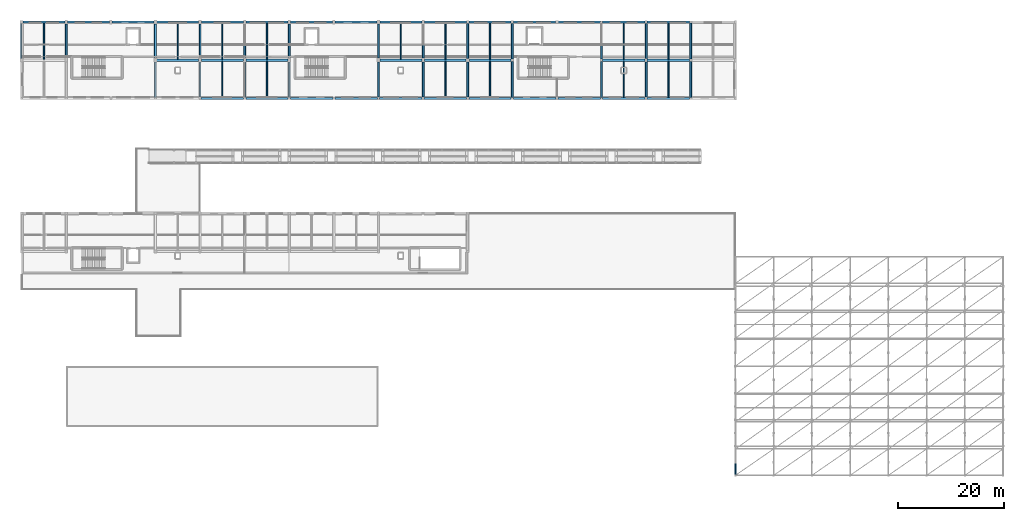
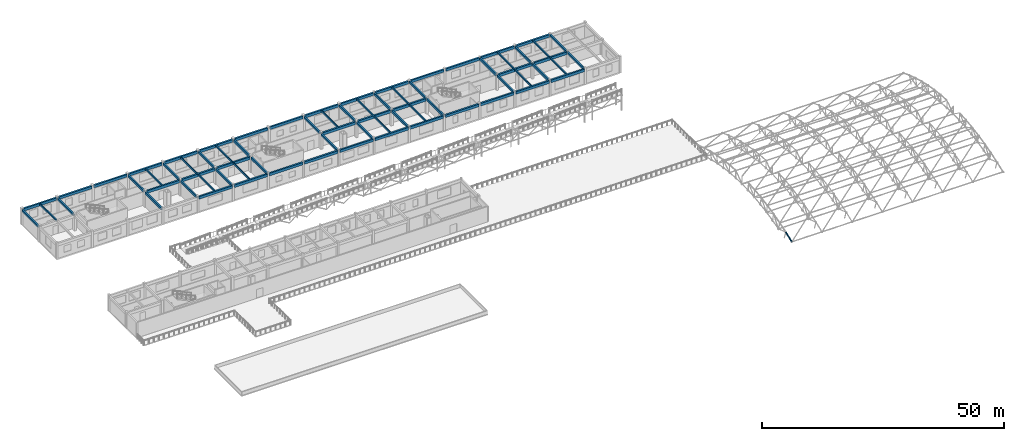
# One storey, part 11 of 41: 73 beams, 1 member.
"""IFC4 building model written with IfcOpenShell, lengths in metres."""

import ifcopenshell
import ifcopenshell.guid

model = None  # the IFC model being written
_history = None  # IfcOwnerHistory: only IFC2X3 demands one
_inside = {}  # id of a spatial element -> (the spatial element, [elements in it])
_under = {}  # id of a project, library or spatial element -> (it, [spatial elements below it])
_declared = {}  # id of a project -> (the project, [libraries it declares])
_typed = {}  # id of a type object -> (the type object, [elements of that type])
_made_of = {}  # id of a material, layer set ... -> (it, [elements and type objects made of it])


def new_model(schema):
    """Start an empty IFC model of exactly this schema.

    Asked for "IFC4X3", IfcOpenShell would pick the latest addendum, in which some entities
    have other attributes; the version numbers below select the first issue.
    IFC2X3 requires an IfcOwnerHistory on every rooted entity: one is made here for all.
    """
    global model, _history
    if schema == "IFC4X3":
        model = ifcopenshell.file(schema_version=(4, 3, 0, 0))
    else:
        model = ifcopenshell.file(schema=schema)
    _inside.clear()
    _under.clear()
    _declared.clear()
    _typed.clear()
    _made_of.clear()
    _history = None
    if model.schema == "IFC2X3":
        org = make("IfcOrganization", Name="unknown")
        user = make(
            "IfcPersonAndOrganization",
            ThePerson=make("IfcPerson", FamilyName="unknown"),
            TheOrganization=org,
        )
        app = make(
            "IfcApplication",
            ApplicationDeveloper=org,
            Version="unknown",
            ApplicationFullName="unknown",
            ApplicationIdentifier="unknown",
        )
        _history = make(
            "IfcOwnerHistory",
            OwningUser=user,
            OwningApplication=app,
            ChangeAction="ADDED",
            CreationDate=0,
        )
    return model


def make(cls, **values):
    """One entity of the class cls with the attributes given. An attribute that is None is left unset."""
    return model.create_entity(
        cls, **{name: value for name, value in values.items() if value is not None}
    )


def rooted(cls, **values):
    """An entity with a GlobalId (a new one), such as an element, a storey or a relation."""
    return make(cls, GlobalId=ifcopenshell.guid.new(), OwnerHistory=_history, **values)


def si_unit(unit_type, name, prefix=None):
    """IfcSIUnit, for example si_unit("LENGTHUNIT", "METRE", prefix="MILLI")."""
    return make("IfcSIUnit", UnitType=unit_type, Prefix=prefix, Name=name)


def assignment(units):
    """IfcUnitAssignment: the units of a project."""
    return None if units is None else make("IfcUnitAssignment", Units=units)


def point(xyz):
    """IfcCartesianPoint."""
    return None if xyz is None else make("IfcCartesianPoint", Coordinates=xyz)


def direction(xyz):
    """IfcDirection."""
    return None if xyz is None else make("IfcDirection", DirectionRatios=xyz)


def frame(location, z_axis=None, x_axis=None):
    """IfcAxis2Placement3D, a coordinate frame: its origin and axes. An axis left out is left unset."""
    return make(
        "IfcAxis2Placement3D",
        Location=point(location),
        Axis=direction(z_axis),
        RefDirection=direction(x_axis),
    )


def frame_2d(location, x_axis=None):
    """IfcAxis2Placement2D, a coordinate frame in the plane: its origin and x axis."""
    return make(
        "IfcAxis2Placement2D", Location=point(location), RefDirection=direction(x_axis)
    )


def origin():
    """The frame at (0, 0, 0) with its axes left unset."""
    return frame((0.0, 0.0, 0.0))


def origin_2d():
    """The frame at (0, 0) in the plane with its x axis left unset."""
    return frame_2d((0.0, 0.0))


def place(relative_to, where):
    """IfcLocalPlacement: puts the frame where relative to a parent placement (None: the world)."""
    return make(
        "IfcLocalPlacement", PlacementRelTo=relative_to, RelativePlacement=where
    )


def context(
    kind, dimensions, precision=None, world=None, true_north=None, identifier=None
):
    """IfcGeometricRepresentationContext, for example the 3D "Model" context."""
    return make(
        "IfcGeometricRepresentationContext",
        ContextIdentifier=identifier,
        ContextType=kind,
        CoordinateSpaceDimension=dimensions,
        Precision=precision,
        WorldCoordinateSystem=world,
        TrueNorth=true_north,
    )


def subcontext(parent, identifier, kind, view, scale=None):
    """IfcGeometricRepresentationSubContext, for example "Body" below "Model"."""
    return make(
        "IfcGeometricRepresentationSubContext",
        ContextIdentifier=identifier,
        ContextType=kind,
        ParentContext=parent,
        TargetScale=scale,
        TargetView=view,
    )


def project(units=None, contexts=None):
    """IfcProject with its units and contexts."""
    return rooted(
        "IfcProject",
        Name="project",
        RepresentationContexts=contexts,
        UnitsInContext=assignment(units),
    )


def spatial(cls, under=None, at=None, **own):
    """A site, building, storey or space (cls), placed at a placement, below another one or the project."""
    s = rooted(cls, ObjectPlacement=at, **own)
    if under is not None:
        _under.setdefault(under.id(), (under, []))[1].append(s)
    return s


def profile(cls, at=None, kind="AREA", **sizes):
    """A parametric profile (cls). Its sizes go by their IFC names, for example OverallWidth=200.0."""
    return make(cls, ProfileType=kind, Position=at, **sizes)


def rectangle(**sizes):
    """IfcRectangleProfileDef."""
    return profile("IfcRectangleProfileDef", **sizes)


def hollow_circle(**sizes):
    """IfcCircleHollowProfileDef."""
    return profile("IfcCircleHollowProfileDef", **sizes)


def extrude(swept, where, along, depth):
    """IfcExtrudedAreaSolid: the profile swept, set in the frame where, extruded along a direction by depth."""
    return make(
        "IfcExtrudedAreaSolid",
        SweptArea=swept,
        Position=where,
        ExtrudedDirection=direction(along),
        Depth=depth,
    )


def shape(context_of_items, identifier, shape_type, items):
    """IfcShapeRepresentation: the items that make up one representation, for example the "Body"."""
    return make(
        "IfcShapeRepresentation",
        ContextOfItems=context_of_items,
        RepresentationIdentifier=identifier,
        RepresentationType=shape_type,
        Items=items,
    )


def material(Name=None, Category=None):
    """IfcMaterial."""
    return make("IfcMaterial", Name=Name, Category=Category)


def material_profile(
    of_material, cross_section, Name=None, Category=None, Priority=None
):
    """IfcMaterialProfile: a cross section and its material."""
    return make(
        "IfcMaterialProfile",
        Name=Name,
        Material=of_material,
        Profile=cross_section,
        Priority=Priority,
        Category=Category,
    )


def profile_set(profiles, Name=None, composite=None):
    """IfcMaterialProfileSet."""
    return make(
        "IfcMaterialProfileSet",
        Name=Name,
        MaterialProfiles=profiles,
        CompositeProfile=composite,
    )


def made_of(thing, what):
    """Note that an element or type object is made of a material, layer set ...; save() writes the relation."""
    if what is not None:
        _made_of.setdefault(what.id(), (what, []))[1].append(thing)
    return thing


def type_object(cls, material=None, **own):
    """A type object (cls), such as IfcWallType, which elements share."""
    return made_of(rooted(cls, **own), material)


def element(
    cls,
    number,
    at=None,
    inside=None,
    cuts=None,
    type_object=None,
    material=None,
    context=None,
    identifier="Body",
    shape_type=None,
    held_by="IfcProductDefinitionShape",
    body=None,
    shapes=None,
    **own,
):
    """One element of the class cls, such as IfcWall. Its Tag is "e" and its number.

    at: its placement. inside: the storey or other place that contains it. cuts: it is an
    opening in that element (IfcRelVoidsElement). A single representation is given by context,
    identifier, shape_type and body (its items); several are given by shapes. held_by: the class
    of the entity that holds the representations. save() writes the other relations.
    """
    e = rooted(cls, Tag="e%d" % number, ObjectPlacement=at, **own)
    if body is not None:
        shapes = [shape(context, identifier, shape_type, body)]
    if shapes is not None:
        e.Representation = make(held_by, Representations=shapes)
    if inside is not None:
        _inside.setdefault(inside.id(), (inside, []))[1].append(e)
    if cuts is not None:
        rooted(
            "IfcRelVoidsElement", RelatingBuildingElement=cuts, RelatedOpeningElement=e
        )
    if type_object is not None:
        _typed.setdefault(type_object.id(), (type_object, []))[1].append(e)
    return made_of(e, material)


def aggregate(whole, parts):
    """IfcRelAggregates: a whole, such as a stair, and the parts it consists of."""
    return rooted("IfcRelAggregates", RelatingObject=whole, RelatedObjects=parts)


def save(model, path):
    """Write the relations noted so far, then the file.

    IfcRelAggregates (storeys below a building ...), IfcRelContainedInSpatialStructure (elements
    in a storey), IfcRelDefinesByType, IfcRelAssociatesMaterial and IfcRelDeclares: one each for
    every whole, place, type object, material and project.
    """
    for whole, parts in _under.values():
        aggregate(whole, parts)
    for where, things in _inside.values():
        rooted(
            "IfcRelContainedInSpatialStructure",
            RelatedElements=things,
            RelatingStructure=where,
        )
    for kind, things in _typed.values():
        rooted("IfcRelDefinesByType", RelatedObjects=things, RelatingType=kind)
    for what, things in _made_of.values():
        rooted("IfcRelAssociatesMaterial", RelatedObjects=things, RelatingMaterial=what)
    for by, libraries in _declared.values():
        rooted("IfcRelDeclares", RelatingContext=by, RelatedDefinitions=libraries)
    model.write(path)


model = new_model("IFC4")

# Units and contexts
model_context = context("Model", 3, precision=1e-05, world=origin(), true_north=direction((0.0, 1.0)))
body_context = subcontext(model_context, "Body", "Model", "MODEL_VIEW")
ifc_project = project(units=[si_unit("LENGTHUNIT", "METRE"), si_unit("AREAUNIT", "SQUARE_METRE"), si_unit("VOLUMEUNIT", "CUBIC_METRE"), si_unit("PLANEANGLEUNIT", "RADIAN"), si_unit("MASSUNIT", "GRAM", prefix="KILO")], contexts=[model_context])

# Site, building, storey
site_placement = place(None, origin())
site = spatial("IfcSite", under=ifc_project, at=site_placement, CompositionType="ELEMENT")
building_placement = place(site_placement, origin())
building = spatial("IfcBuilding", under=site, at=building_placement, Name="Malvenik Polytechnic", CompositionType="ELEMENT")
storey_placement = place(building_placement, frame((0.0, 0.0, 17.699951171875)))
storey = spatial("IfcBuildingStorey", under=building, at=storey_placement, Name="L04", CompositionType="ELEMENT", Elevation=17.699951171875)

# Beams
ifc_material_1 = material(Name="Concrete C35/45", Category="concrete")
ifc_material_profile_1 = material_profile(ifc_material_1, rectangle(XDim=0.39990234375, YDim=0.679931640625, at=origin_2d()), Name="RC BM 400x680")
ifc_profile_set_1 = profile_set([ifc_material_profile_1], Name="Concrete C35/45")
beam_type_1 = type_object("IfcBeamType", Name="STR-BM-B-05", PredefinedType="BEAM", material=ifc_profile_set_1)
for number, where, z_axis, x_axis, name in (
    (1, (25.447998046875, 122.39990234375, 3.580078125), (1.0, 0.0, 0.0), (0.0, 1.0, 0.0), "Primary Beam B-05 L04 #1860"),
    (2, (33.847900390625, 122.39990234375, 3.580078125), (1.0, 0.0, 0.0), (0.0, 1.0, 0.0), "Primary Beam B-05 L04 #1861"),
    (3, (42.248046875, 122.39990234375, 3.580078125), (1.0, 0.0, 0.0), (0.0, 1.0, 0.0), "Primary Beam B-05 L04 #1862"),
    (4, (67.447998046875, 122.39990234375, 3.580078125), (1.0, 0.0, 0.0), (0.0, 1.0, 0.0), "Primary Beam B-05 L04 #1863"),
):
    element("IfcBeam", number, at=place(storey_placement, frame(where, z_axis=z_axis, x_axis=x_axis)), inside=storey, type_object=beam_type_1, Name=name, PredefinedType="BEAM", context=body_context, shape_type="SweptSolid", body=[
        extrude(rectangle(XDim=0.39990234375, YDim=0.679931640625, at=origin_2d()), origin(), (0.0, 0.0, 1.0), 7.904052734375),
    ])
for number, where, z_axis, x_axis, name in (
    (5, (75.847900390625, 122.39990234375, 3.580078125), (1.0, 0.0, 0.0), (0.0, 1.0, 0.0), "Primary Beam B-05 L04 #1864"),
    (6, (84.298095703125, 122.39990234375, 3.580078125), (1.0, 0.0, 0.0), (0.0, 1.0, 0.0), "Primary Beam B-05 L04 #1865"),
):
    element("IfcBeam", number, at=place(storey_placement, frame(where, z_axis=z_axis, x_axis=x_axis)), inside=storey, type_object=beam_type_1, Name=name, PredefinedType="BEAM", context=body_context, shape_type="SweptSolid", body=[
        extrude(rectangle(XDim=0.39990234375, YDim=0.679931640625, at=origin_2d()), origin(), (0.0, 0.0, 1.0), 7.85400390625),
    ])
beam_1_placement = place(storey_placement, frame((109.39794921875, 122.39990234375, 3.580078125), z_axis=(1.0, 0.0, 0.0), x_axis=(0.0, 1.0, 0.0)))
element("IfcBeam", 7, at=beam_1_placement, inside=storey, type_object=beam_type_1, Name="Primary Beam B-05 L04 #1866", PredefinedType="BEAM", context=body_context, shape_type="SweptSolid", body=[
    extrude(rectangle(XDim=0.39990234375, YDim=0.679931640625, at=origin_2d()), origin(), (0.0, 0.0, 1.0), 8.004150390625),
])
beam_2_placement = place(storey_placement, frame((117.798095703125, 122.39990234375, 3.580078125), z_axis=(1.0, 0.0, 0.0), x_axis=(0.0, 1.0, 0.0)))
element("IfcBeam", 8, at=beam_2_placement, inside=storey, type_object=beam_type_1, Name="Primary Beam B-05 L04 #1867", PredefinedType="BEAM", context=body_context, shape_type="SweptSolid", body=[
    extrude(rectangle(XDim=0.39990234375, YDim=0.679931640625, at=origin_2d()), origin(), (0.0, 0.0, 1.0), 7.97900390625),
])
ifc_material_profile_2 = material_profile(ifc_material_1, rectangle(XDim=0.35009765625, YDim=0.550048828125, at=origin_2d()), Name="RC BM 350x550")
ifc_profile_set_2 = profile_set([ifc_material_profile_2], Name="Concrete C35/45")
beam_type_2 = type_object("IfcBeamType", Name="STR-BM-B-08", PredefinedType="BEAM", material=ifc_profile_set_2)
beam_3_placement = place(storey_placement, frame((0.0, 122.697998046875, 3.64501953125), z_axis=(0.0, 1.0, 0.0), x_axis=(-1.0, 0.0, 0.0)))
element("IfcBeam", 9, at=beam_3_placement, inside=storey, type_object=beam_type_2, Name="Transverse Beam B-08 L04 #1887", PredefinedType="BEAM", context=body_context, shape_type="SweptSolid", body=[
    extrude(rectangle(XDim=0.35009765625, YDim=0.550048828125, at=origin_2d()), origin(), (0.0, 0.0, 1.0), 6.60400390625),
])
beam_4_placement = place(storey_placement, frame((8.39990234375, 122.77294921875, 3.64501953125), z_axis=(0.0, 1.0, 0.0), x_axis=(-1.0, 0.0, 0.0)))
element("IfcBeam", 10, at=beam_4_placement, inside=storey, type_object=beam_type_2, Name="Transverse Beam B-08 L04 #1890", PredefinedType="BEAM", context=body_context, shape_type="SweptSolid", body=[
    extrude(rectangle(XDim=0.35009765625, YDim=0.550048828125, at=origin_2d()), origin(), (0.0, 0.0, 1.0), 6.4541015625),
])
beam_5_placement = place(storey_placement, frame((25.199951171875, 115.39794921875, 3.64501953125), z_axis=(0.0, 1.0, 0.0), x_axis=(-1.0, 0.0, 0.0)))
element("IfcBeam", 11, at=beam_5_placement, inside=storey, type_object=beam_type_2, Name="Transverse Beam B-08 L04 #1892", PredefinedType="BEAM", context=body_context, shape_type="SweptSolid", body=[
    extrude(rectangle(XDim=0.35009765625, YDim=0.550048828125, at=origin_2d()), origin(), (0.0, 0.0, 1.0), 6.629150390625),
])
beam_6_placement = place(storey_placement, frame((25.199951171875, 122.77294921875, 3.64501953125), z_axis=(0.0, 1.0, 0.0), x_axis=(-1.0, 0.0, 0.0)))
element("IfcBeam", 12, at=beam_6_placement, inside=storey, type_object=beam_type_2, Name="Transverse Beam B-08 L04 #1893", PredefinedType="BEAM", context=body_context, shape_type="SweptSolid", body=[
    extrude(rectangle(XDim=0.35009765625, YDim=0.550048828125, at=origin_2d()), origin(), (0.0, 0.0, 1.0), 6.4541015625),
])
beam_7_placement = place(storey_placement, frame((33.60009765625, 115.498046875, 3.64501953125), z_axis=(0.0, 1.0, 0.0), x_axis=(-1.0, 0.0, 0.0)))
element("IfcBeam", 13, at=beam_7_placement, inside=storey, type_object=beam_type_2, Name="Transverse Beam B-08 L04 #1895", PredefinedType="BEAM", context=body_context, shape_type="SweptSolid", body=[
    extrude(rectangle(XDim=0.35009765625, YDim=0.550048828125, at=origin_2d()), origin(), (0.0, 0.0, 1.0), 6.529052734375),
])
beam_8_placement = place(storey_placement, frame((33.60009765625, 122.77294921875, 3.64501953125), z_axis=(0.0, 1.0, 0.0), x_axis=(-1.0, 0.0, 0.0)))
element("IfcBeam", 14, at=beam_8_placement, inside=storey, type_object=beam_type_2, Name="Transverse Beam B-08 L04 #1896", PredefinedType="BEAM", context=body_context, shape_type="SweptSolid", body=[
    extrude(rectangle(XDim=0.35009765625, YDim=0.550048828125, at=origin_2d()), origin(), (0.0, 0.0, 1.0), 6.4541015625),
])
beam_9_placement = place(storey_placement, frame((42.0, 115.423095703125, 3.64501953125), z_axis=(0.0, 1.0, 0.0), x_axis=(-1.0, 0.0, 0.0)))
element("IfcBeam", 15, at=beam_9_placement, inside=storey, type_object=beam_type_2, Name="Transverse Beam B-08 L04 #1898", PredefinedType="BEAM", context=body_context, shape_type="SweptSolid", body=[
    extrude(rectangle(XDim=0.35009765625, YDim=0.550048828125, at=origin_2d()), origin(), (0.0, 0.0, 1.0), 6.60400390625),
])
beam_10_placement = place(storey_placement, frame((42.0, 122.77294921875, 3.64501953125), z_axis=(0.0, 1.0, 0.0), x_axis=(-1.0, 0.0, 0.0)))
element("IfcBeam", 16, at=beam_10_placement, inside=storey, type_object=beam_type_2, Name="Transverse Beam B-08 L04 #1899", PredefinedType="BEAM", context=body_context, shape_type="SweptSolid", body=[
    extrude(rectangle(XDim=0.35009765625, YDim=0.550048828125, at=origin_2d()), origin(), (0.0, 0.0, 1.0), 6.4541015625),
])
beam_11_placement = place(storey_placement, frame((50.39990234375, 115.423095703125, 3.64501953125), z_axis=(0.0, 1.0, 0.0), x_axis=(-1.0, 0.0, 0.0)))
element("IfcBeam", 17, at=beam_11_placement, inside=storey, type_object=beam_type_2, Name="Transverse Beam B-08 L04 #1901", PredefinedType="BEAM", context=body_context, shape_type="SweptSolid", body=[
    extrude(rectangle(XDim=0.35009765625, YDim=0.550048828125, at=origin_2d()), origin(), (0.0, 0.0, 1.0), 6.60400390625),
])
beam_12_placement = place(storey_placement, frame((50.39990234375, 122.77294921875, 3.64501953125), z_axis=(0.0, 1.0, 0.0), x_axis=(-1.0, 0.0, 0.0)))
element("IfcBeam", 18, at=beam_12_placement, inside=storey, type_object=beam_type_2, Name="Transverse Beam B-08 L04 #1902", PredefinedType="BEAM", context=body_context, shape_type="SweptSolid", body=[
    extrude(rectangle(XDim=0.35009765625, YDim=0.550048828125, at=origin_2d()), origin(), (0.0, 0.0, 1.0), 6.4541015625),
])
beam_13_placement = place(storey_placement, frame((67.199951171875, 115.498046875, 3.64501953125), z_axis=(0.0, 1.0, 0.0), x_axis=(-1.0, 0.0, 0.0)))
element("IfcBeam", 19, at=beam_13_placement, inside=storey, type_object=beam_type_2, Name="Transverse Beam B-08 L04 #1905", PredefinedType="BEAM", context=body_context, shape_type="SweptSolid", body=[
    extrude(rectangle(XDim=0.35009765625, YDim=0.550048828125, at=origin_2d()), origin(), (0.0, 0.0, 1.0), 6.529052734375),
])
beam_14_placement = place(storey_placement, frame((67.199951171875, 122.77294921875, 3.64501953125), z_axis=(0.0, 1.0, 0.0), x_axis=(-1.0, 0.0, 0.0)))
element("IfcBeam", 20, at=beam_14_placement, inside=storey, type_object=beam_type_2, Name="Transverse Beam B-08 L04 #1906", PredefinedType="BEAM", context=body_context, shape_type="SweptSolid", body=[
    extrude(rectangle(XDim=0.35009765625, YDim=0.550048828125, at=origin_2d()), origin(), (0.0, 0.0, 1.0), 6.4541015625),
])
beam_15_placement = place(storey_placement, frame((75.60009765625, 115.498046875, 3.64501953125), z_axis=(0.0, 1.0, 0.0), x_axis=(-1.0, 0.0, 0.0)))
element("IfcBeam", 21, at=beam_15_placement, inside=storey, type_object=beam_type_2, Name="Transverse Beam B-08 L04 #1907", PredefinedType="BEAM", context=body_context, shape_type="SweptSolid", body=[
    extrude(rectangle(XDim=0.35009765625, YDim=0.550048828125, at=origin_2d()), origin(), (0.0, 0.0, 1.0), 6.529052734375),
])
beam_16_placement = place(storey_placement, frame((75.60009765625, 122.77294921875, 3.64501953125), z_axis=(0.0, 1.0, 0.0), x_axis=(-1.0, 0.0, 0.0)))
element("IfcBeam", 22, at=beam_16_placement, inside=storey, type_object=beam_type_2, Name="Transverse Beam B-08 L04 #1908", PredefinedType="BEAM", context=body_context, shape_type="SweptSolid", body=[
    extrude(rectangle(XDim=0.35009765625, YDim=0.550048828125, at=origin_2d()), origin(), (0.0, 0.0, 1.0), 6.4541015625),
])
beam_17_placement = place(storey_placement, frame((84.0, 115.498046875, 3.64501953125), z_axis=(0.0, 1.0, 0.0), x_axis=(-1.0, 0.0, 0.0)))
element("IfcBeam", 23, at=beam_17_placement, inside=storey, type_object=beam_type_2, Name="Transverse Beam B-08 L04 #1910", PredefinedType="BEAM", context=body_context, shape_type="SweptSolid", body=[
    extrude(rectangle(XDim=0.35009765625, YDim=0.550048828125, at=origin_2d()), origin(), (0.0, 0.0, 1.0), 6.60400390625),
])
beam_18_placement = place(storey_placement, frame((84.0, 122.697998046875, 3.64501953125), z_axis=(0.0, 1.0, 0.0), x_axis=(-1.0, 0.0, 0.0)))
element("IfcBeam", 24, at=beam_18_placement, inside=storey, type_object=beam_type_2, Name="Transverse Beam B-08 L04 #1911", PredefinedType="BEAM", context=body_context, shape_type="SweptSolid", body=[
    extrude(rectangle(XDim=0.35009765625, YDim=0.550048828125, at=origin_2d()), origin(), (0.0, 0.0, 1.0), 6.654052734375),
])
beam_19_placement = place(storey_placement, frame((92.39990234375, 115.423095703125, 3.64501953125), z_axis=(0.0, 1.0, 0.0), x_axis=(-1.0, 0.0, 0.0)))
element("IfcBeam", 25, at=beam_19_placement, inside=storey, type_object=beam_type_2, Name="Transverse Beam B-08 L04 #1912", PredefinedType="BEAM", context=body_context, shape_type="SweptSolid", body=[
    extrude(rectangle(XDim=0.35009765625, YDim=0.550048828125, at=origin_2d()), origin(), (0.0, 0.0, 1.0), 6.72900390625),
])
beam_20_placement = place(storey_placement, frame((92.39990234375, 122.64794921875, 3.64501953125), z_axis=(0.0, 1.0, 0.0), x_axis=(-1.0, 0.0, 0.0)))
element("IfcBeam", 26, at=beam_20_placement, inside=storey, type_object=beam_type_2, Name="Transverse Beam B-08 L04 #1913", PredefinedType="BEAM", context=body_context, shape_type="SweptSolid", body=[
    extrude(rectangle(XDim=0.35009765625, YDim=0.550048828125, at=origin_2d()), origin(), (0.0, 0.0, 1.0), 6.7041015625),
])
beam_21_placement = place(storey_placement, frame((109.199951171875, 115.39794921875, 3.64501953125), z_axis=(0.0, 1.0, 0.0), x_axis=(-1.0, 0.0, 0.0)))
element("IfcBeam", 27, at=beam_21_placement, inside=storey, type_object=beam_type_2, Name="Transverse Beam B-08 L04 #1914", PredefinedType="BEAM", context=body_context, shape_type="SweptSolid", body=[
    extrude(rectangle(XDim=0.35009765625, YDim=0.550048828125, at=origin_2d()), origin(), (0.0, 0.0, 1.0), 6.803955078125),
])
beam_22_placement = place(storey_placement, frame((109.199951171875, 122.597900390625, 3.64501953125), z_axis=(0.0, 1.0, 0.0), x_axis=(-1.0, 0.0, 0.0)))
element("IfcBeam", 28, at=beam_22_placement, inside=storey, type_object=beam_type_2, Name="Transverse Beam B-08 L04 #1915", PredefinedType="BEAM", context=body_context, shape_type="SweptSolid", body=[
    extrude(rectangle(XDim=0.35009765625, YDim=0.550048828125, at=origin_2d()), origin(), (0.0, 0.0, 1.0), 6.80419921875),
])
for number, where, z_axis, x_axis, name in (
    (29, (117.60009765625, 115.498046875, 3.64501953125), (0.0, 1.0, 0.0), (-1.0, 0.0, 0.0), "Transverse Beam B-08 L04 #1916"),
    (30, (117.60009765625, 122.697998046875, 3.64501953125), (0.0, 1.0, 0.0), (-1.0, 0.0, 0.0), "Transverse Beam B-08 L04 #1917"),
):
    element("IfcBeam", number, at=place(storey_placement, frame(where, z_axis=z_axis, x_axis=x_axis)), inside=storey, type_object=beam_type_2, Name=name, PredefinedType="BEAM", context=body_context, shape_type="SweptSolid", body=[
        extrude(rectangle(XDim=0.35009765625, YDim=0.550048828125, at=origin_2d()), origin(), (0.0, 0.0, 1.0), 6.60400390625),
    ])
for number, where, z_axis, x_axis, name in (
    (31, (126.0, 115.423095703125, 3.64501953125), (0.0, 1.0, 0.0), (-1.0, 0.0, 0.0), "Transverse Beam B-08 L04 #1918"),
    (32, (126.0, 122.623046875, 3.64501953125), (0.0, 1.0, 0.0), (-1.0, 0.0, 0.0), "Transverse Beam B-08 L04 #1919"),
):
    element("IfcBeam", number, at=place(storey_placement, frame(where, z_axis=z_axis, x_axis=x_axis)), inside=storey, type_object=beam_type_2, Name=name, PredefinedType="BEAM", context=body_context, shape_type="SweptSolid", body=[
        extrude(rectangle(XDim=0.35009765625, YDim=0.550048828125, at=origin_2d()), origin(), (0.0, 0.0, 1.0), 6.75390625),
    ])
ifc_material_2 = material(Name="Concrete C30/37", Category="concrete")
ifc_material_profile_3 = material_profile(ifc_material_2, rectangle(XDim=0.239990234375, YDim=0.419921875, at=origin_2d()), Name="RC JST 240x420")
ifc_profile_set_3 = profile_set([ifc_material_profile_3], Name="Concrete C30/37")
beam_type_3 = type_object("IfcBeamType", Name="STR-BM-J-03", PredefinedType="JOIST", material=ifc_profile_set_3)
for number, where, z_axis, x_axis, name in (
    (33, (4.199951171875, 122.597900390625, 3.7099609375), (0.0, 1.0, 0.0), (-1.0, 0.0, 0.0), "Secondary Rib Joist J-03 L04 #1924"),
    (34, (29.39990234375, 122.597900390625, 3.7099609375), (0.0, 1.0, 0.0), (-1.0, 0.0, 0.0), "Secondary Rib Joist J-03 L04 #1926"),
):
    element("IfcBeam", number, at=place(storey_placement, frame(where, z_axis=z_axis, x_axis=x_axis)), inside=storey, type_object=beam_type_3, Name=name, PredefinedType="JOIST", context=body_context, shape_type="SweptSolid", body=[
        extrude(rectangle(XDim=0.239990234375, YDim=0.419921875, at=origin_2d()), origin(), (0.0, 0.0, 1.0), 6.80419921875),
    ])
beam_23_placement = place(storey_placement, frame((37.800048828125, 115.39794921875, 3.7099609375), z_axis=(0.0, 1.0, 0.0), x_axis=(-1.0, 0.0, 0.0)))
element("IfcBeam", 35, at=beam_23_placement, inside=storey, type_object=beam_type_3, Name="Secondary Rib Joist J-03 L04 #1928", PredefinedType="JOIST", context=body_context, shape_type="SweptSolid", body=[
    extrude(rectangle(XDim=0.239990234375, YDim=0.419921875, at=origin_2d()), origin(), (0.0, 0.0, 1.0), 6.803955078125),
])
beam_24_placement = place(storey_placement, frame((37.800048828125, 122.597900390625, 3.7099609375), z_axis=(0.0, 1.0, 0.0), x_axis=(-1.0, 0.0, 0.0)))
element("IfcBeam", 36, at=beam_24_placement, inside=storey, type_object=beam_type_3, Name="Secondary Rib Joist J-03 L04 #1929", PredefinedType="JOIST", context=body_context, shape_type="SweptSolid", body=[
    extrude(rectangle(XDim=0.239990234375, YDim=0.419921875, at=origin_2d()), origin(), (0.0, 0.0, 1.0), 6.80419921875),
])
beam_25_placement = place(storey_placement, frame((46.199951171875, 115.39794921875, 3.7099609375), z_axis=(0.0, 1.0, 0.0), x_axis=(-1.0, 0.0, 0.0)))
element("IfcBeam", 37, at=beam_25_placement, inside=storey, type_object=beam_type_3, Name="Secondary Rib Joist J-03 L04 #1931", PredefinedType="JOIST", context=body_context, shape_type="SweptSolid", body=[
    extrude(rectangle(XDim=0.239990234375, YDim=0.419921875, at=origin_2d()), origin(), (0.0, 0.0, 1.0), 6.803955078125),
])
for number, where, z_axis, x_axis, name in (
    (38, (46.199951171875, 122.597900390625, 3.7099609375), (0.0, 1.0, 0.0), (-1.0, 0.0, 0.0), "Secondary Rib Joist J-03 L04 #1932"),
    (39, (71.39990234375, 122.597900390625, 3.7099609375), (0.0, 1.0, 0.0), (-1.0, 0.0, 0.0), "Secondary Rib Joist J-03 L04 #1935"),
):
    element("IfcBeam", number, at=place(storey_placement, frame(where, z_axis=z_axis, x_axis=x_axis)), inside=storey, type_object=beam_type_3, Name=name, PredefinedType="JOIST", context=body_context, shape_type="SweptSolid", body=[
        extrude(rectangle(XDim=0.239990234375, YDim=0.419921875, at=origin_2d()), origin(), (0.0, 0.0, 1.0), 6.80419921875),
    ])
beam_26_placement = place(storey_placement, frame((79.800048828125, 115.39794921875, 3.7099609375), z_axis=(0.0, 1.0, 0.0), x_axis=(-1.0, 0.0, 0.0)))
element("IfcBeam", 40, at=beam_26_placement, inside=storey, type_object=beam_type_3, Name="Secondary Rib Joist J-03 L04 #1936", PredefinedType="JOIST", context=body_context, shape_type="SweptSolid", body=[
    extrude(rectangle(XDim=0.239990234375, YDim=0.419921875, at=origin_2d()), origin(), (0.0, 0.0, 1.0), 6.803955078125),
])
beam_27_placement = place(storey_placement, frame((79.800048828125, 122.597900390625, 3.7099609375), z_axis=(0.0, 1.0, 0.0), x_axis=(-1.0, 0.0, 0.0)))
element("IfcBeam", 41, at=beam_27_placement, inside=storey, type_object=beam_type_3, Name="Secondary Rib Joist J-03 L04 #1937", PredefinedType="JOIST", context=body_context, shape_type="SweptSolid", body=[
    extrude(rectangle(XDim=0.239990234375, YDim=0.419921875, at=origin_2d()), origin(), (0.0, 0.0, 1.0), 6.80419921875),
])
beam_28_placement = place(storey_placement, frame((88.199951171875, 115.39794921875, 3.7099609375), z_axis=(0.0, 1.0, 0.0), x_axis=(-1.0, 0.0, 0.0)))
element("IfcBeam", 42, at=beam_28_placement, inside=storey, type_object=beam_type_3, Name="Secondary Rib Joist J-03 L04 #1938", PredefinedType="JOIST", context=body_context, shape_type="SweptSolid", body=[
    extrude(rectangle(XDim=0.239990234375, YDim=0.419921875, at=origin_2d()), origin(), (0.0, 0.0, 1.0), 6.803955078125),
])
beam_29_placement = place(storey_placement, frame((88.199951171875, 122.597900390625, 3.7099609375), z_axis=(0.0, 1.0, 0.0), x_axis=(-1.0, 0.0, 0.0)))
element("IfcBeam", 43, at=beam_29_placement, inside=storey, type_object=beam_type_3, Name="Secondary Rib Joist J-03 L04 #1939", PredefinedType="JOIST", context=body_context, shape_type="SweptSolid", body=[
    extrude(rectangle(XDim=0.239990234375, YDim=0.419921875, at=origin_2d()), origin(), (0.0, 0.0, 1.0), 6.80419921875),
])
beam_30_placement = place(storey_placement, frame((113.39990234375, 115.39794921875, 3.7099609375), z_axis=(0.0, 1.0, 0.0), x_axis=(-1.0, 0.0, 0.0)))
element("IfcBeam", 44, at=beam_30_placement, inside=storey, type_object=beam_type_3, Name="Secondary Rib Joist J-03 L04 #1940", PredefinedType="JOIST", context=body_context, shape_type="SweptSolid", body=[
    extrude(rectangle(XDim=0.239990234375, YDim=0.419921875, at=origin_2d()), origin(), (0.0, 0.0, 1.0), 6.803955078125),
])
beam_31_placement = place(storey_placement, frame((113.39990234375, 122.597900390625, 3.7099609375), z_axis=(0.0, 1.0, 0.0), x_axis=(-1.0, 0.0, 0.0)))
element("IfcBeam", 45, at=beam_31_placement, inside=storey, type_object=beam_type_3, Name="Secondary Rib Joist J-03 L04 #1941", PredefinedType="JOIST", context=body_context, shape_type="SweptSolid", body=[
    extrude(rectangle(XDim=0.239990234375, YDim=0.419921875, at=origin_2d()), origin(), (0.0, 0.0, 1.0), 6.80419921875),
])
beam_32_placement = place(storey_placement, frame((121.800048828125, 115.39794921875, 3.7099609375), z_axis=(0.0, 1.0, 0.0), x_axis=(-1.0, 0.0, 0.0)))
element("IfcBeam", 46, at=beam_32_placement, inside=storey, type_object=beam_type_3, Name="Secondary Rib Joist J-03 L04 #1942", PredefinedType="JOIST", context=body_context, shape_type="SweptSolid", body=[
    extrude(rectangle(XDim=0.239990234375, YDim=0.419921875, at=origin_2d()), origin(), (0.0, 0.0, 1.0), 6.803955078125),
])
beam_33_placement = place(storey_placement, frame((121.800048828125, 122.597900390625, 3.7099609375), z_axis=(0.0, 1.0, 0.0), x_axis=(-1.0, 0.0, 0.0)))
element("IfcBeam", 47, at=beam_33_placement, inside=storey, type_object=beam_type_3, Name="Secondary Rib Joist J-03 L04 #1943", PredefinedType="JOIST", context=body_context, shape_type="SweptSolid", body=[
    extrude(rectangle(XDim=0.239990234375, YDim=0.419921875, at=origin_2d()), origin(), (0.0, 0.0, 1.0), 6.80419921875),
])
ifc_material_3 = material(Name="Precast concrete C40/50", Category="concrete")
ifc_material_profile_4 = material_profile(ifc_material_3, rectangle(XDim=0.39990234375, YDim=0.659912109375, at=origin_2d()), Name="PC SPN 400x660")
ifc_profile_set_4 = profile_set([ifc_material_profile_4], Name="Precast concrete C40/50")
beam_type_4 = type_object("IfcBeamType", Name="STR-BM-SP-03", PredefinedType="SPANDREL", material=ifc_profile_set_4)
beam_34_placement = place(storey_placement, frame((33.798095703125, 115.199951171875, 3.590087890625), z_axis=(1.0, 0.0, 0.0), x_axis=(0.0, 1.0, 0.0)))
element("IfcBeam", 48, at=beam_34_placement, inside=storey, type_object=beam_type_4, Name="Primary Beam SP-03 L04 #1847", PredefinedType="SPANDREL", context=body_context, shape_type="SweptSolid", body=[
    extrude(rectangle(XDim=0.39990234375, YDim=0.659912109375, at=origin_2d()), origin(), (0.0, 0.0, 1.0), 7.97900390625),
])
beam_35_placement = place(storey_placement, frame((42.222900390625, 115.199951171875, 3.590087890625), z_axis=(1.0, 0.0, 0.0), x_axis=(0.0, 1.0, 0.0)))
element("IfcBeam", 49, at=beam_35_placement, inside=storey, type_object=beam_type_4, Name="Primary Beam SP-03 L04 #1848", PredefinedType="SPANDREL", context=body_context, shape_type="SweptSolid", body=[
    extrude(rectangle(XDim=0.39990234375, YDim=0.659912109375, at=origin_2d()), origin(), (0.0, 0.0, 1.0), 7.9541015625),
])
beam_36_placement = place(storey_placement, frame((50.623046875, 115.199951171875, 3.590087890625), z_axis=(1.0, 0.0, 0.0), x_axis=(0.0, 1.0, 0.0)))
element("IfcBeam", 50, at=beam_36_placement, inside=storey, type_object=beam_type_4, Name="Primary Beam SP-03 L04 #1849", PredefinedType="SPANDREL", context=body_context, shape_type="SweptSolid", body=[
    extrude(rectangle(XDim=0.39990234375, YDim=0.659912109375, at=origin_2d()), origin(), (0.0, 0.0, 1.0), 7.97900390625),
])
beam_37_placement = place(storey_placement, frame((58.998046875, 115.199951171875, 3.590087890625), z_axis=(1.0, 0.0, 0.0), x_axis=(0.0, 1.0, 0.0)))
element("IfcBeam", 51, at=beam_37_placement, inside=storey, type_object=beam_type_4, Name="Primary Beam SP-03 L04 #1850", PredefinedType="SPANDREL", context=body_context, shape_type="SweptSolid", body=[
    extrude(rectangle(XDim=0.39990234375, YDim=0.659912109375, at=origin_2d()), origin(), (0.0, 0.0, 1.0), 8.00390625),
])
beam_38_placement = place(storey_placement, frame((67.39794921875, 115.199951171875, 3.590087890625), z_axis=(1.0, 0.0, 0.0), x_axis=(0.0, 1.0, 0.0)))
element("IfcBeam", 52, at=beam_38_placement, inside=storey, type_object=beam_type_4, Name="Primary Beam SP-03 L04 #1851", PredefinedType="SPANDREL", context=body_context, shape_type="SweptSolid", body=[
    extrude(rectangle(XDim=0.39990234375, YDim=0.659912109375, at=origin_2d()), origin(), (0.0, 0.0, 1.0), 8.004150390625),
])
beam_39_placement = place(storey_placement, frame((75.798095703125, 115.199951171875, 3.590087890625), z_axis=(1.0, 0.0, 0.0), x_axis=(0.0, 1.0, 0.0)))
element("IfcBeam", 53, at=beam_39_placement, inside=storey, type_object=beam_type_4, Name="Primary Beam SP-03 L04 #1852", PredefinedType="SPANDREL", context=body_context, shape_type="SweptSolid", body=[
    extrude(rectangle(XDim=0.39990234375, YDim=0.659912109375, at=origin_2d()), origin(), (0.0, 0.0, 1.0), 8.00390625),
])
for number, where, z_axis, x_axis, name in (
    (54, (84.197998046875, 115.199951171875, 3.590087890625), (1.0, 0.0, 0.0), (0.0, 1.0, 0.0), "Primary Beam SP-03 L04 #1853"),
    (55, (92.623046875, 115.199951171875, 3.590087890625), (1.0, 0.0, 0.0), (0.0, 1.0, 0.0), "Primary Beam SP-03 L04 #1854"),
):
    element("IfcBeam", number, at=place(storey_placement, frame(where, z_axis=z_axis, x_axis=x_axis)), inside=storey, type_object=beam_type_4, Name=name, PredefinedType="SPANDREL", context=body_context, shape_type="SweptSolid", body=[
        extrude(rectangle(XDim=0.39990234375, YDim=0.659912109375, at=origin_2d()), origin(), (0.0, 0.0, 1.0), 7.97900390625),
    ])
beam_40_placement = place(storey_placement, frame((100.998046875, 115.199951171875, 3.590087890625), z_axis=(1.0, 0.0, 0.0), x_axis=(0.0, 1.0, 0.0)))
element("IfcBeam", 56, at=beam_40_placement, inside=storey, type_object=beam_type_4, Name="Primary Beam SP-03 L04 #1855", PredefinedType="SPANDREL", context=body_context, shape_type="SweptSolid", body=[
    extrude(rectangle(XDim=0.39990234375, YDim=0.659912109375, at=origin_2d()), origin(), (0.0, 0.0, 1.0), 8.00390625),
])
beam_41_placement = place(storey_placement, frame((109.39794921875, 115.199951171875, 3.590087890625), z_axis=(1.0, 0.0, 0.0), x_axis=(0.0, 1.0, 0.0)))
element("IfcBeam", 57, at=beam_41_placement, inside=storey, type_object=beam_type_4, Name="Primary Beam SP-03 L04 #1856", PredefinedType="SPANDREL", context=body_context, shape_type="SweptSolid", body=[
    extrude(rectangle(XDim=0.39990234375, YDim=0.659912109375, at=origin_2d()), origin(), (0.0, 0.0, 1.0), 8.004150390625),
])
beam_42_placement = place(storey_placement, frame((117.798095703125, 115.199951171875, 3.590087890625), z_axis=(1.0, 0.0, 0.0), x_axis=(0.0, 1.0, 0.0)))
element("IfcBeam", 58, at=beam_42_placement, inside=storey, type_object=beam_type_4, Name="Primary Beam SP-03 L04 #1857", PredefinedType="SPANDREL", context=body_context, shape_type="SweptSolid", body=[
    extrude(rectangle(XDim=0.39990234375, YDim=0.659912109375, at=origin_2d()), origin(), (0.0, 0.0, 1.0), 7.97900390625),
])
beam_43_placement = place(storey_placement, frame((0.298095703125, 129.60009765625, 3.590087890625), z_axis=(1.0, 0.0, 0.0), x_axis=(0.0, 1.0, 0.0)))
element("IfcBeam", 59, at=beam_43_placement, inside=storey, type_object=beam_type_4, Name="Primary Beam SP-03 L04 #1869", PredefinedType="SPANDREL", context=body_context, shape_type="SweptSolid", body=[
    extrude(rectangle(XDim=0.39990234375, YDim=0.659912109375, at=origin_2d()), origin(), (0.0, 0.0, 1.0), 7.85400390625),
])
beam_44_placement = place(storey_placement, frame((8.64794921875, 129.60009765625, 3.590087890625), z_axis=(1.0, 0.0, 0.0), x_axis=(0.0, 1.0, 0.0)))
element("IfcBeam", 60, at=beam_44_placement, inside=storey, type_object=beam_type_4, Name="Primary Beam SP-03 L04 #1870", PredefinedType="SPANDREL", context=body_context, shape_type="SweptSolid", body=[
    extrude(rectangle(XDim=0.39990234375, YDim=0.659912109375, at=origin_2d()), origin(), (0.0, 0.0, 1.0), 7.904052734375),
])
beam_45_placement = place(storey_placement, frame((17.048095703125, 129.60009765625, 3.590087890625), z_axis=(1.0, 0.0, 0.0), x_axis=(0.0, 1.0, 0.0)))
element("IfcBeam", 61, at=beam_45_placement, inside=storey, type_object=beam_type_4, Name="Primary Beam SP-03 L04 #1871", PredefinedType="SPANDREL", context=body_context, shape_type="SweptSolid", body=[
    extrude(rectangle(XDim=0.39990234375, YDim=0.659912109375, at=origin_2d()), origin(), (0.0, 0.0, 1.0), 7.90380859375),
])
for number, where, z_axis, x_axis, name in (
    (62, (25.447998046875, 129.60009765625, 3.590087890625), (1.0, 0.0, 0.0), (0.0, 1.0, 0.0), "Primary Beam SP-03 L04 #1872"),
    (63, (33.847900390625, 129.60009765625, 3.590087890625), (1.0, 0.0, 0.0), (0.0, 1.0, 0.0), "Primary Beam SP-03 L04 #1873"),
    (64, (42.248046875, 129.60009765625, 3.590087890625), (1.0, 0.0, 0.0), (0.0, 1.0, 0.0), "Primary Beam SP-03 L04 #1874"),
    (65, (50.64794921875, 129.60009765625, 3.590087890625), (1.0, 0.0, 0.0), (0.0, 1.0, 0.0), "Primary Beam SP-03 L04 #1875"),
):
    element("IfcBeam", number, at=place(storey_placement, frame(where, z_axis=z_axis, x_axis=x_axis)), inside=storey, type_object=beam_type_4, Name=name, PredefinedType="SPANDREL", context=body_context, shape_type="SweptSolid", body=[
        extrude(rectangle(XDim=0.39990234375, YDim=0.659912109375, at=origin_2d()), origin(), (0.0, 0.0, 1.0), 7.904052734375),
    ])
beam_46_placement = place(storey_placement, frame((59.048095703125, 129.60009765625, 3.590087890625), z_axis=(1.0, 0.0, 0.0), x_axis=(0.0, 1.0, 0.0)))
element("IfcBeam", 66, at=beam_46_placement, inside=storey, type_object=beam_type_4, Name="Primary Beam SP-03 L04 #1876", PredefinedType="SPANDREL", context=body_context, shape_type="SweptSolid", body=[
    extrude(rectangle(XDim=0.39990234375, YDim=0.659912109375, at=origin_2d()), origin(), (0.0, 0.0, 1.0), 7.90380859375),
])
for number, where, z_axis, x_axis, name in (
    (67, (67.447998046875, 129.60009765625, 3.590087890625), (1.0, 0.0, 0.0), (0.0, 1.0, 0.0), "Primary Beam SP-03 L04 #1877"),
    (68, (75.847900390625, 129.60009765625, 3.590087890625), (1.0, 0.0, 0.0), (0.0, 1.0, 0.0), "Primary Beam SP-03 L04 #1878"),
    (69, (84.248046875, 129.60009765625, 3.590087890625), (1.0, 0.0, 0.0), (0.0, 1.0, 0.0), "Primary Beam SP-03 L04 #1879"),
    (70, (92.64794921875, 129.60009765625, 3.590087890625), (1.0, 0.0, 0.0), (0.0, 1.0, 0.0), "Primary Beam SP-03 L04 #1880"),
):
    element("IfcBeam", number, at=place(storey_placement, frame(where, z_axis=z_axis, x_axis=x_axis)), inside=storey, type_object=beam_type_4, Name=name, PredefinedType="SPANDREL", context=body_context, shape_type="SweptSolid", body=[
        extrude(rectangle(XDim=0.39990234375, YDim=0.659912109375, at=origin_2d()), origin(), (0.0, 0.0, 1.0), 7.904052734375),
    ])
beam_47_placement = place(storey_placement, frame((101.048095703125, 129.60009765625, 3.590087890625), z_axis=(1.0, 0.0, 0.0), x_axis=(0.0, 1.0, 0.0)))
element("IfcBeam", 71, at=beam_47_placement, inside=storey, type_object=beam_type_4, Name="Primary Beam SP-03 L04 #1881", PredefinedType="SPANDREL", context=body_context, shape_type="SweptSolid", body=[
    extrude(rectangle(XDim=0.39990234375, YDim=0.659912109375, at=origin_2d()), origin(), (0.0, 0.0, 1.0), 7.953857421875),
])
beam_48_placement = place(storey_placement, frame((109.39794921875, 129.60009765625, 3.590087890625), z_axis=(1.0, 0.0, 0.0), x_axis=(0.0, 1.0, 0.0)))
element("IfcBeam", 72, at=beam_48_placement, inside=storey, type_object=beam_type_4, Name="Primary Beam SP-03 L04 #1882", PredefinedType="SPANDREL", context=body_context, shape_type="SweptSolid", body=[
    extrude(rectangle(XDim=0.39990234375, YDim=0.659912109375, at=origin_2d()), origin(), (0.0, 0.0, 1.0), 8.004150390625),
])
beam_49_placement = place(storey_placement, frame((117.798095703125, 129.60009765625, 3.590087890625), z_axis=(1.0, 0.0, 0.0), x_axis=(0.0, 1.0, 0.0)))
element("IfcBeam", 73, at=beam_49_placement, inside=storey, type_object=beam_type_4, Name="Primary Beam SP-03 L04 #1883", PredefinedType="SPANDREL", context=body_context, shape_type="SweptSolid", body=[
    extrude(rectangle(XDim=0.39990234375, YDim=0.659912109375, at=origin_2d()), origin(), (0.0, 0.0, 1.0), 7.97900390625),
])

# Member
ifc_material_4 = material(Name="Steel S355J2H", Category="steel")
ifc_material_profile_5 = material_profile(ifc_material_4, hollow_circle(Radius=0.177734375, WallThickness=0.012451171875, at=origin_2d()), Name="CHS 355.6x12.5")
ifc_profile_set_5 = profile_set([ifc_material_profile_5], Name="Steel S355J2H")
member_type = type_object("IfcMemberType", Name="STR-MEM-SFT-01", PredefinedType="CHORD", material=ifc_profile_set_5)
member_placement = place(storey_placement, frame((134.39990234375, 44.236328125, 0.25390625), z_axis=(0.0, 0.93343650429, 0.358742654921), x_axis=(-1.0, 0.0, 0.0)))
element("IfcMember", 74, at=member_placement, inside=storey, type_object=member_type, Name="Space-Frame Tube SFT-01 STR-SF-TC-0010", PredefinedType="CHORD", context=body_context, shape_type="SweptSolid", body=[
    extrude(hollow_circle(Radius=0.177734375, WallThickness=0.012451171875, at=origin_2d()), origin(), (0.0, 0.0, 1.0), 2.629638671875),
])

save(model, "model.ifc")
